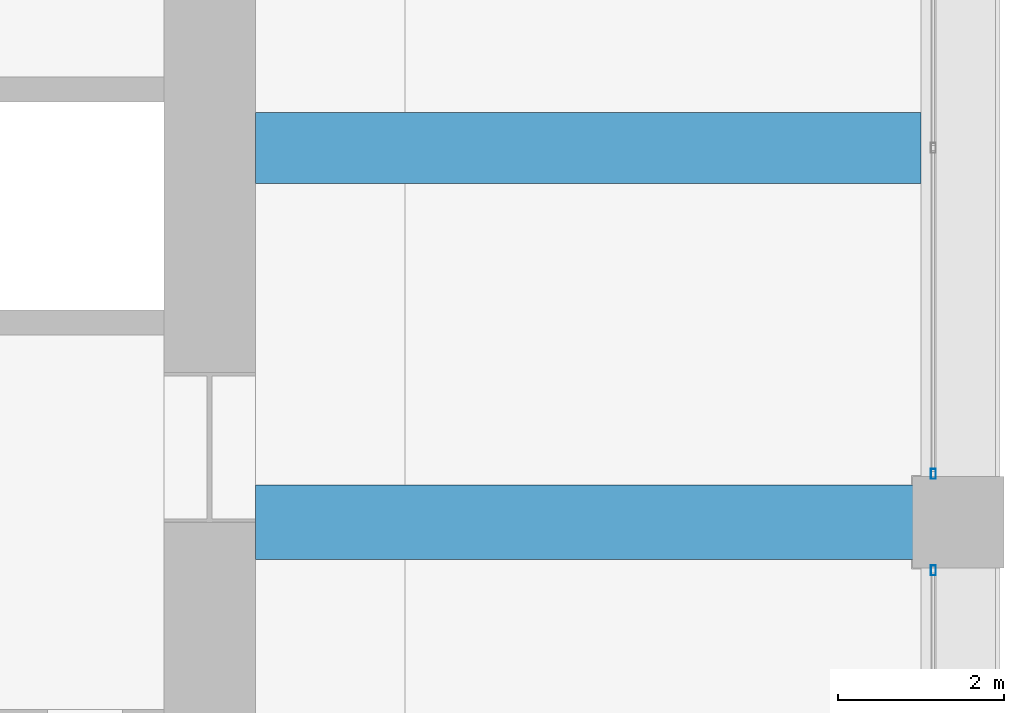
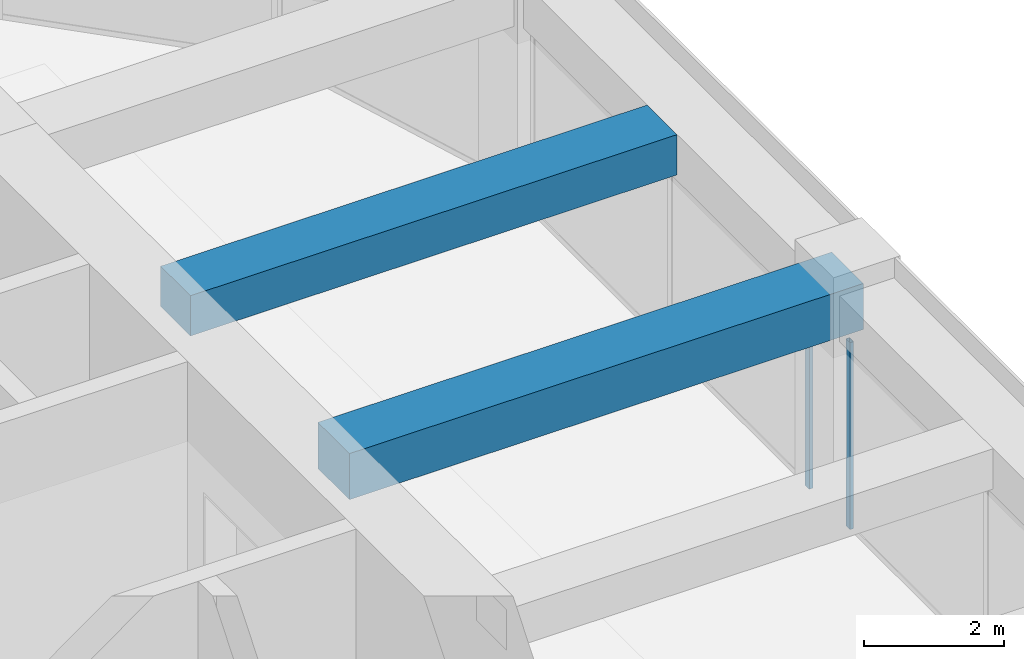
# One storey, part 26 of 44: 2 beams, 2 members, 2 elements without a shape of their own.
"""IFC4 building model written with IfcOpenShell, lengths in metres."""

import ifcopenshell
import ifcopenshell.guid

model = None  # the IFC model being written
_history = None  # IfcOwnerHistory: only IFC2X3 demands one
_inside = {}  # id of a spatial element -> (the spatial element, [elements in it])
_under = {}  # id of a project, library or spatial element -> (it, [spatial elements below it])
_declared = {}  # id of a project -> (the project, [libraries it declares])
_typed = {}  # id of a type object -> (the type object, [elements of that type])
_made_of = {}  # id of a material, layer set ... -> (it, [elements and type objects made of it])


def new_model(schema):
    """Start an empty IFC model of exactly this schema.

    Asked for "IFC4X3", IfcOpenShell would pick the latest addendum, in which some entities
    have other attributes; the version numbers below select the first issue.
    IFC2X3 requires an IfcOwnerHistory on every rooted entity: one is made here for all.
    """
    global model, _history
    if schema == "IFC4X3":
        model = ifcopenshell.file(schema_version=(4, 3, 0, 0))
    else:
        model = ifcopenshell.file(schema=schema)
    _inside.clear()
    _under.clear()
    _declared.clear()
    _typed.clear()
    _made_of.clear()
    _history = None
    if model.schema == "IFC2X3":
        org = make("IfcOrganization", Name="unknown")
        user = make(
            "IfcPersonAndOrganization",
            ThePerson=make("IfcPerson", FamilyName="unknown"),
            TheOrganization=org,
        )
        app = make(
            "IfcApplication",
            ApplicationDeveloper=org,
            Version="unknown",
            ApplicationFullName="unknown",
            ApplicationIdentifier="unknown",
        )
        _history = make(
            "IfcOwnerHistory",
            OwningUser=user,
            OwningApplication=app,
            ChangeAction="ADDED",
            CreationDate=0,
        )
    return model


def make(cls, **values):
    """One entity of the class cls with the attributes given. An attribute that is None is left unset."""
    return model.create_entity(
        cls, **{name: value for name, value in values.items() if value is not None}
    )


def rooted(cls, **values):
    """An entity with a GlobalId (a new one), such as an element, a storey or a relation."""
    return make(cls, GlobalId=ifcopenshell.guid.new(), OwnerHistory=_history, **values)


def si_unit(unit_type, name, prefix=None):
    """IfcSIUnit, for example si_unit("LENGTHUNIT", "METRE", prefix="MILLI")."""
    return make("IfcSIUnit", UnitType=unit_type, Prefix=prefix, Name=name)


def assignment(units):
    """IfcUnitAssignment: the units of a project."""
    return None if units is None else make("IfcUnitAssignment", Units=units)


def point(xyz):
    """IfcCartesianPoint."""
    return None if xyz is None else make("IfcCartesianPoint", Coordinates=xyz)


def direction(xyz):
    """IfcDirection."""
    return None if xyz is None else make("IfcDirection", DirectionRatios=xyz)


def frame(location, z_axis=None, x_axis=None):
    """IfcAxis2Placement3D, a coordinate frame: its origin and axes. An axis left out is left unset."""
    return make(
        "IfcAxis2Placement3D",
        Location=point(location),
        Axis=direction(z_axis),
        RefDirection=direction(x_axis),
    )


def frame_2d(location, x_axis=None):
    """IfcAxis2Placement2D, a coordinate frame in the plane: its origin and x axis."""
    return make(
        "IfcAxis2Placement2D", Location=point(location), RefDirection=direction(x_axis)
    )


def origin():
    """The frame at (0, 0, 0) with its axes left unset."""
    return frame((0.0, 0.0, 0.0))


def origin_2d():
    """The frame at (0, 0) in the plane with its x axis left unset."""
    return frame_2d((0.0, 0.0))


def place(relative_to, where):
    """IfcLocalPlacement: puts the frame where relative to a parent placement (None: the world)."""
    return make(
        "IfcLocalPlacement", PlacementRelTo=relative_to, RelativePlacement=where
    )


def context(
    kind, dimensions, precision=None, world=None, true_north=None, identifier=None
):
    """IfcGeometricRepresentationContext, for example the 3D "Model" context."""
    return make(
        "IfcGeometricRepresentationContext",
        ContextIdentifier=identifier,
        ContextType=kind,
        CoordinateSpaceDimension=dimensions,
        Precision=precision,
        WorldCoordinateSystem=world,
        TrueNorth=true_north,
    )


def subcontext(parent, identifier, kind, view, scale=None):
    """IfcGeometricRepresentationSubContext, for example "Body" below "Model"."""
    return make(
        "IfcGeometricRepresentationSubContext",
        ContextIdentifier=identifier,
        ContextType=kind,
        ParentContext=parent,
        TargetScale=scale,
        TargetView=view,
    )


def project(units=None, contexts=None):
    """IfcProject with its units and contexts."""
    return rooted(
        "IfcProject",
        Name="project",
        RepresentationContexts=contexts,
        UnitsInContext=assignment(units),
    )


def spatial(cls, under=None, at=None, **own):
    """A site, building, storey or space (cls), placed at a placement, below another one or the project."""
    s = rooted(cls, ObjectPlacement=at, **own)
    if under is not None:
        _under.setdefault(under.id(), (under, []))[1].append(s)
    return s


def profile(cls, at=None, kind="AREA", **sizes):
    """A parametric profile (cls). Its sizes go by their IFC names, for example OverallWidth=200.0."""
    return make(cls, ProfileType=kind, Position=at, **sizes)


def rectangle(**sizes):
    """IfcRectangleProfileDef."""
    return profile("IfcRectangleProfileDef", **sizes)


def hollow_rectangle(**sizes):
    """IfcRectangleHollowProfileDef."""
    return profile("IfcRectangleHollowProfileDef", **sizes)


def extrude(swept, where, along, depth):
    """IfcExtrudedAreaSolid: the profile swept, set in the frame where, extruded along a direction by depth."""
    return make(
        "IfcExtrudedAreaSolid",
        SweptArea=swept,
        Position=where,
        ExtrudedDirection=direction(along),
        Depth=depth,
    )


def shape(context_of_items, identifier, shape_type, items):
    """IfcShapeRepresentation: the items that make up one representation, for example the "Body"."""
    return make(
        "IfcShapeRepresentation",
        ContextOfItems=context_of_items,
        RepresentationIdentifier=identifier,
        RepresentationType=shape_type,
        Items=items,
    )


def material(Name=None, Category=None):
    """IfcMaterial."""
    return make("IfcMaterial", Name=Name, Category=Category)


def material_profile(
    of_material, cross_section, Name=None, Category=None, Priority=None
):
    """IfcMaterialProfile: a cross section and its material."""
    return make(
        "IfcMaterialProfile",
        Name=Name,
        Material=of_material,
        Profile=cross_section,
        Priority=Priority,
        Category=Category,
    )


def profile_set(profiles, Name=None, composite=None):
    """IfcMaterialProfileSet."""
    return make(
        "IfcMaterialProfileSet",
        Name=Name,
        MaterialProfiles=profiles,
        CompositeProfile=composite,
    )


def made_of(thing, what):
    """Note that an element or type object is made of a material, layer set ...; save() writes the relation."""
    if what is not None:
        _made_of.setdefault(what.id(), (what, []))[1].append(thing)
    return thing


def type_object(cls, material=None, **own):
    """A type object (cls), such as IfcWallType, which elements share."""
    return made_of(rooted(cls, **own), material)


def element(
    cls,
    number,
    at=None,
    inside=None,
    cuts=None,
    type_object=None,
    material=None,
    context=None,
    identifier="Body",
    shape_type=None,
    held_by="IfcProductDefinitionShape",
    body=None,
    shapes=None,
    **own,
):
    """One element of the class cls, such as IfcWall. Its Tag is "e" and its number.

    at: its placement. inside: the storey or other place that contains it. cuts: it is an
    opening in that element (IfcRelVoidsElement). A single representation is given by context,
    identifier, shape_type and body (its items); several are given by shapes. held_by: the class
    of the entity that holds the representations. save() writes the other relations.
    """
    e = rooted(cls, Tag="e%d" % number, ObjectPlacement=at, **own)
    if body is not None:
        shapes = [shape(context, identifier, shape_type, body)]
    if shapes is not None:
        e.Representation = make(held_by, Representations=shapes)
    if inside is not None:
        _inside.setdefault(inside.id(), (inside, []))[1].append(e)
    if cuts is not None:
        rooted(
            "IfcRelVoidsElement", RelatingBuildingElement=cuts, RelatedOpeningElement=e
        )
    if type_object is not None:
        _typed.setdefault(type_object.id(), (type_object, []))[1].append(e)
    return made_of(e, material)


def aggregate(whole, parts):
    """IfcRelAggregates: a whole, such as a stair, and the parts it consists of."""
    return rooted("IfcRelAggregates", RelatingObject=whole, RelatedObjects=parts)


def save(model, path):
    """Write the relations noted so far, then the file.

    IfcRelAggregates (storeys below a building ...), IfcRelContainedInSpatialStructure (elements
    in a storey), IfcRelDefinesByType, IfcRelAssociatesMaterial and IfcRelDeclares: one each for
    every whole, place, type object, material and project.
    """
    for whole, parts in _under.values():
        aggregate(whole, parts)
    for where, things in _inside.values():
        rooted(
            "IfcRelContainedInSpatialStructure",
            RelatedElements=things,
            RelatingStructure=where,
        )
    for kind, things in _typed.values():
        rooted("IfcRelDefinesByType", RelatedObjects=things, RelatingType=kind)
    for what, things in _made_of.values():
        rooted("IfcRelAssociatesMaterial", RelatedObjects=things, RelatingMaterial=what)
    for by, libraries in _declared.values():
        rooted("IfcRelDeclares", RelatingContext=by, RelatedDefinitions=libraries)
    model.write(path)


model = new_model("IFC4")

# Units and contexts
model_context = context("Model", 3, precision=1e-05, world=origin(), true_north=direction((0.0, 1.0)))
body_context = subcontext(model_context, "Body", "Model", "MODEL_VIEW")
ifc_project = project(units=[si_unit("LENGTHUNIT", "METRE"), si_unit("AREAUNIT", "SQUARE_METRE"), si_unit("VOLUMEUNIT", "CUBIC_METRE"), si_unit("PLANEANGLEUNIT", "RADIAN"), si_unit("MASSUNIT", "GRAM", prefix="KILO")], contexts=[model_context])

# Site, building, storey
site_placement = place(None, origin())
site = spatial("IfcSite", under=ifc_project, at=site_placement, CompositionType="ELEMENT")
building_placement = place(site_placement, origin())
building = spatial("IfcBuilding", under=site, at=building_placement, Name="Zorevar Civic Tower", CompositionType="ELEMENT")
storey_placement = place(building_placement, frame((0.0, 0.0, 307.39990234375)))
storey = spatial("IfcBuildingStorey", under=building, at=storey_placement, Name="L75", CompositionType="ELEMENT", Elevation=307.39990234375)

# Beams
ifc_material_1 = material(Name="Concrete C50/60", Category="concrete")
ifc_material_profile_1 = material_profile(ifc_material_1, rectangle(XDim=0.85009765625, YDim=0.699951171875, at=origin_2d()), Name="RC 850x700")
ifc_profile_set_1 = profile_set([ifc_material_profile_1], Name="Concrete C50/60")
beam_type_1 = type_object("IfcBeamType", Name="Beam RC 850x700", PredefinedType="BEAM", material=ifc_profile_set_1)
beam_1_placement = place(storey_placement, frame((45.550048828125, 31.5, 3.7001953125), z_axis=(1.0, 0.0, 0.0), x_axis=(0.0, 1.0, 0.0)))
element("IfcBeam", 1, at=beam_1_placement, inside=storey, type_object=beam_type_1, Name="Secondary beam RF", PredefinedType="BEAM", context=body_context, shape_type="SweptSolid", body=[
    extrude(rectangle(XDim=0.85009765625, YDim=0.699951171875, at=origin_2d()), origin(), (0.0, 0.0, 1.0), 8.0),
])
ifc_material_2 = material(Name="Concrete C50/60", Category="concrete")
ifc_material_profile_2 = material_profile(ifc_material_2, rectangle(XDim=0.89990234375, YDim=0.800048828125, at=origin_2d()), Name="RC 900x800")
ifc_profile_set_2 = profile_set([ifc_material_profile_2], Name="Concrete C50/60")
beam_type_2 = type_object("IfcBeamType", Name="Beam RC 900x800", PredefinedType="BEAM", material=ifc_profile_set_2)
beam_2_placement = place(storey_placement, frame((45.550048828125, 27.0, 3.650146484375), z_axis=(1.0, 0.0, 0.0), x_axis=(0.0, 1.0, 0.0)))
element("IfcBeam", 2, at=beam_2_placement, inside=storey, type_object=beam_type_2, Name="Girder RF", PredefinedType="BEAM", context=body_context, shape_type="SweptSolid", body=[
    extrude(rectangle(XDim=0.89990234375, YDim=0.800048828125, at=origin_2d()), origin(), (0.0, 0.0, 1.0), 8.449951171875),
])

# Curtain wall, member
ifc_material_3 = material(Name="Dark grey solar-control glass in black aluminium frame", Category="aluminium")
curtain_wall_type = type_object("IfcCurtainWallType", Name="Curtain wall CW5 top zone", PredefinedType="NOTDEFINED", material=ifc_material_3)
curtain_wall_1_placement = place(storey_placement, origin())
curtain_wall_1 = element("IfcCurtainWall", 3, at=curtain_wall_1_placement, inside=storey, type_object=curtain_wall_type, Name="CW5 L75", PredefinedType="NOTDEFINED")
ifc_material_4 = material(Name="Aluminium, black anodised", Category="aluminium")
ifc_material_profile_3 = material_profile(ifc_material_4, hollow_rectangle(XDim=0.06005859375, YDim=0.1201171875, WallThickness=0.0029296875, at=origin_2d()), Name="AL 120x60x3")
ifc_profile_set_3 = profile_set([ifc_material_profile_3], Name="Aluminium, black anodised")
member_type = type_object("IfcMemberType", Name="CW5 mullion AL 120x60x3", PredefinedType="MULLION", material=ifc_profile_set_3)
member_1_placement = place(storey_placement, frame((53.699951171875, 26.419921875, 0.0), z_axis=(0.0, 0.0, 1.0), x_axis=(-1.0, 0.0, 0.0)))
member_1 = element("IfcMember", 4, at=member_1_placement, type_object=member_type, Name="CW5 mullion 3", PredefinedType="MULLION", context=body_context, shape_type="SweptSolid", body=[
    extrude(hollow_rectangle(XDim=0.06005859375, YDim=0.1201171875, WallThickness=0.0029296875, at=origin_2d()), origin(), (0.0, 0.0, 1.0), 3.25),
])
aggregate(curtain_wall_1, [member_1])

curtain_wall_2_placement = place(storey_placement, origin())
curtain_wall_2 = element("IfcCurtainWall", 5, at=curtain_wall_2_placement, inside=storey, type_object=curtain_wall_type, Name="CW5 L75", PredefinedType="NOTDEFINED")
member_2_placement = place(storey_placement, frame((53.699951171875, 27.580078125, 0.0), z_axis=(0.0, 0.0, 1.0), x_axis=(-1.0, 0.0, 0.0)))
member_2 = element("IfcMember", 6, at=member_2_placement, type_object=member_type, Name="CW5 mullion 1", PredefinedType="MULLION", context=body_context, shape_type="SweptSolid", body=[
    extrude(hollow_rectangle(XDim=0.06005859375, YDim=0.1201171875, WallThickness=0.0029296875, at=origin_2d()), origin(), (0.0, 0.0, 1.0), 3.25),
])
aggregate(curtain_wall_2, [member_2])

save(model, "model.ifc")
